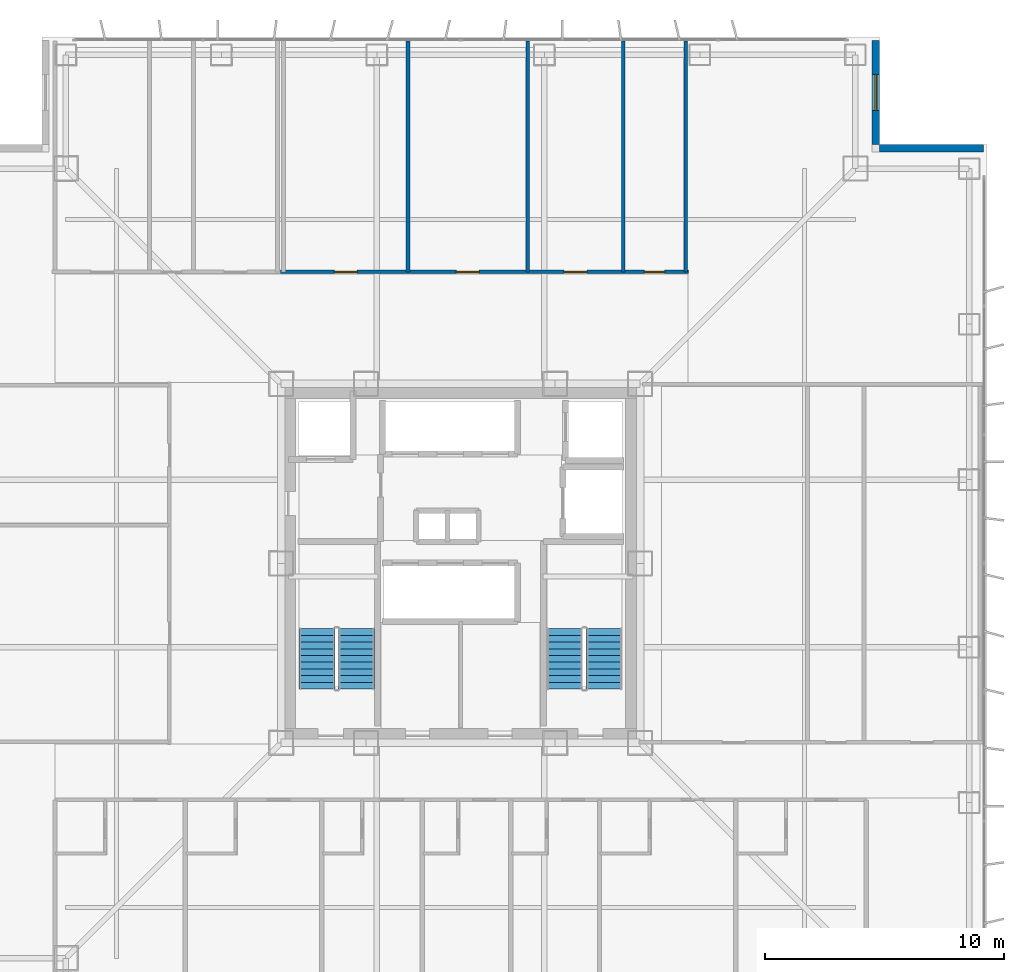
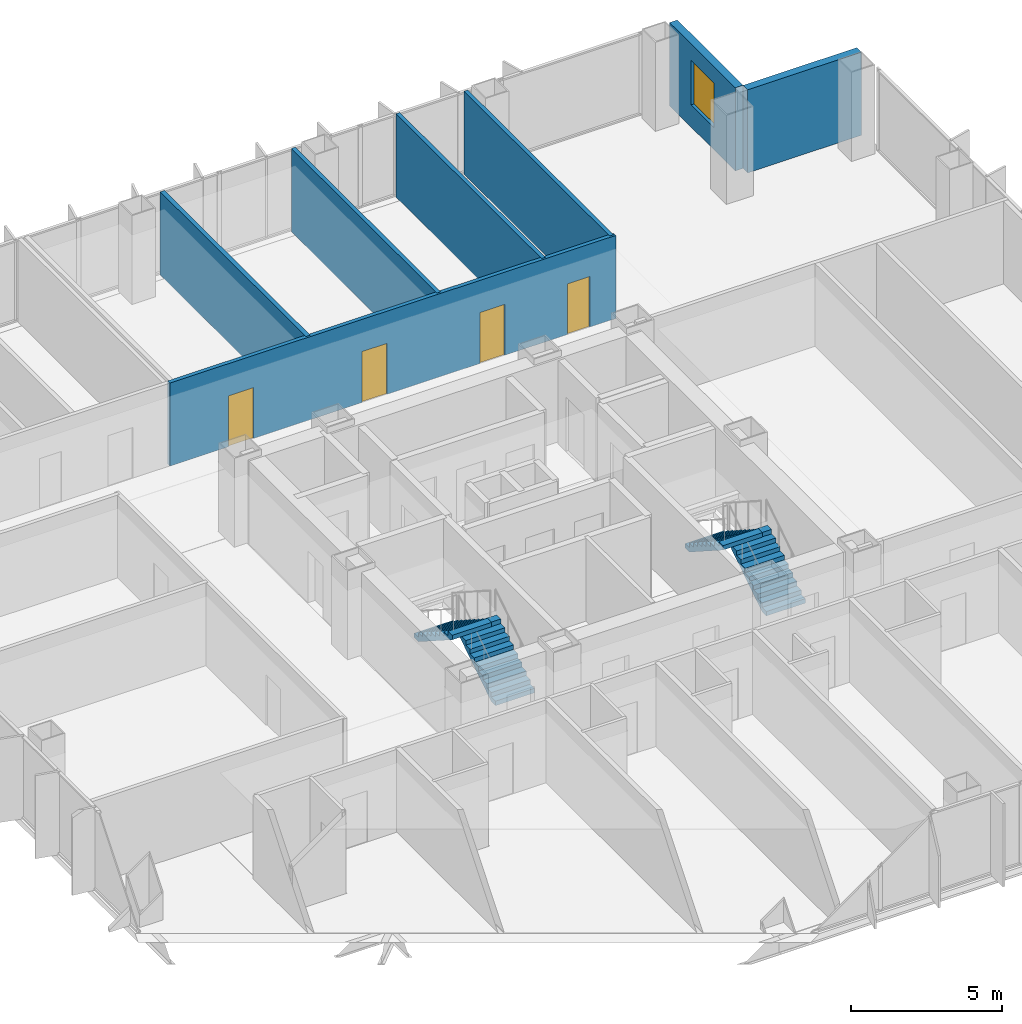
# One storey, part 15 of 18: 7 walls, 4 doors, 4 stair flights, 1 window, 5 openings, 2 elements without a shape of their own.
"""IFC4 building model written with IfcOpenShell, lengths in metres."""

from ifc_helpers import new_model, si_unit, direction, frame, frame_2d, origin, place, context, subcontext, project, spatial, polyline, rectangle, outline, extrude, material, layer, layer_set, type_object, element, fill, aggregate, save


model = new_model("IFC4")

# Units and contexts
model_context = context("Model", 3, precision=1e-05, world=origin(), true_north=direction((0.0, 1.0)))
body_context = subcontext(model_context, "Body", "Model", "MODEL_VIEW")
ifc_project = project(units=[si_unit("LENGTHUNIT", "METRE"), si_unit("AREAUNIT", "SQUARE_METRE"), si_unit("VOLUMEUNIT", "CUBIC_METRE"), si_unit("PLANEANGLEUNIT", "RADIAN"), si_unit("MASSUNIT", "GRAM", prefix="KILO")], contexts=[model_context])

# Site, building, storey
site_placement = place(None, origin())
site = spatial("IfcSite", under=ifc_project, at=site_placement, CompositionType="ELEMENT")
building_placement = place(site_placement, origin())
building = spatial("IfcBuilding", under=site, at=building_placement, Name="Trevonay Congress Spire", CompositionType="ELEMENT")
storey_placement = place(building_placement, frame((0.0, 0.0, 148.0)))
storey = spatial("IfcBuildingStorey", under=building, at=storey_placement, Name="L38", CompositionType="ELEMENT", Elevation=148.0)

# Wall, openings, doors
ifc_material_1 = material(Name="Concrete C40/50", Category="concrete")
ifc_layer_1 = layer(ifc_material_1, 0.14990234375, Name="Concrete C40/50")
ifc_layer_set_1 = layer_set([ifc_layer_1], Name="Concrete C40/50")
wall_type_1 = type_object("IfcWallType", Name="WAL-CORR-150", PredefinedType="PARTITIONING", material=ifc_layer_set_1)
wall_1_placement = place(storey_placement, frame((-7.52001953125, 12.179931640625, 0.0), z_axis=(0.0, 0.0, 1.0), x_axis=(1.0, 0.0, 0.0)))
wall_1 = element("IfcWall", 1, at=wall_1_placement, inside=storey, type_object=wall_type_1, Name="L38 interior wall WP-L38NE-COR", PredefinedType="PARTITIONING", context=body_context, shape_type="SweptSolid", body=[
    extrude(rectangle(XDim=17.0400390625, YDim=0.14990234375, at=frame_2d((8.52001953125, 0.0))), origin(), (0.0, 0.0, 1.0), 3.360107421875),
])
opening_1_placement = place(wall_1_placement, frame((2.2451171875, 0.0, 0.0)))
opening_1 = element("IfcOpeningElement", 2, at=opening_1_placement, cuts=wall_1, Name="Opening D07", PredefinedType="OPENING", context=body_context, shape_type="SweptSolid", body=[
    extrude(rectangle(XDim=0.949951171875, YDim=2.06005859375, at=frame_2d((0.47509765625, 1.030029296875))), frame((0.0, 0.0849609375, 0.0), z_axis=(0.0, -1.0, 0.0), x_axis=(1.0, 0.0, 0.0)), (0.0, 0.0, 1.0), 0.169921875),
])
opening_2_placement = place(wall_1_placement, frame((7.344970703125, 0.0, 0.0)))
opening_2 = element("IfcOpeningElement", 3, at=opening_2_placement, cuts=wall_1, Name="Opening D07", PredefinedType="OPENING", context=body_context, shape_type="SweptSolid", body=[
    extrude(rectangle(XDim=0.949951171875, YDim=2.06005859375, at=frame_2d((0.47509765625, 1.030029296875))), frame((0.0, 0.0849609375, 0.0), z_axis=(0.0, -1.0, 0.0), x_axis=(1.0, 0.0, 0.0)), (0.0, 0.0, 1.0), 0.169921875),
])
opening_3_placement = place(wall_1_placement, frame((11.844970703125, 0.0, 0.0)))
opening_3 = element("IfcOpeningElement", 4, at=opening_3_placement, cuts=wall_1, Name="Opening D07", PredefinedType="OPENING", context=body_context, shape_type="SweptSolid", body=[
    extrude(rectangle(XDim=0.949951171875, YDim=2.06005859375, at=frame_2d((0.47509765625, 1.030029296875))), frame((0.0, 0.0849609375, 0.0), z_axis=(0.0, -1.0, 0.0), x_axis=(1.0, 0.0, 0.0)), (0.0, 0.0, 1.0), 0.169921875),
])
opening_4_placement = place(wall_1_placement, frame((15.195068359375, 0.0, 0.0)))
opening_4 = element("IfcOpeningElement", 5, at=opening_4_placement, cuts=wall_1, Name="Opening D10", PredefinedType="OPENING", context=body_context, shape_type="SweptSolid", body=[
    extrude(rectangle(XDim=0.85009765625, YDim=2.050048828125, at=frame_2d((0.425048828125, 1.02490234375))), frame((0.0, 0.0849609375, 0.0), z_axis=(0.0, -1.0, 0.0), x_axis=(1.0, 0.0, 0.0)), (0.0, 0.0, 1.0), 0.169921875),
])
ifc_material_2 = material(Name="Pale Anodised Aluminium EN AW-6063-T6", Category="aluminium")
door_type_1 = type_object("IfcDoorType", Name="DOR-OFFICE-95", OperationType="NOTDEFINED", PredefinedType="DOOR", material=ifc_material_2)
door_1_placement = place(opening_1_placement, origin())
door_1 = element("IfcDoor", 6, at=door_1_placement, inside=storey, type_object=door_type_1, Name="L38 Protocol Advisors Office 1 Door", OperationType="SINGLE_SWING_RIGHT", OverallHeight=2.06005859375, OverallWidth=0.949951171875, PredefinedType="DOOR", context=body_context, shape_type="SweptSolid", body=[
    extrude(rectangle(XDim=0.949951171875, YDim=2.06005859375, at=frame_2d((0.47509765625, 1.030029296875))), frame((0.0, 0.02490234375, 0.0), z_axis=(0.0, -1.0, 0.0), x_axis=(1.0, 0.0, 0.0)), (0.0, 0.0, 1.0), 0.050048828125),
])
fill(opening_1, door_1)
door_2_placement = place(opening_2_placement, origin())
door_2 = element("IfcDoor", 7, at=door_2_placement, inside=storey, type_object=door_type_1, Name="L38 Protocol Advisors Office 2 Door", OperationType="SINGLE_SWING_LEFT", OverallHeight=2.06005859375, OverallWidth=0.949951171875, PredefinedType="DOOR", context=body_context, shape_type="SweptSolid", body=[
    extrude(rectangle(XDim=0.949951171875, YDim=2.06005859375, at=frame_2d((0.47509765625, 1.030029296875))), frame((0.0, 0.02490234375, 0.0), z_axis=(0.0, -1.0, 0.0), x_axis=(1.0, 0.0, 0.0)), (0.0, 0.0, 1.0), 0.050048828125),
])
fill(opening_2, door_2)
door_3_placement = place(opening_3_placement, origin())
door_3 = element("IfcDoor", 8, at=door_3_placement, inside=storey, type_object=door_type_1, Name="L38 Housekeeping and Linen Room Door", OperationType="SINGLE_SWING_RIGHT", OverallHeight=2.06005859375, OverallWidth=0.949951171875, PredefinedType="DOOR", context=body_context, shape_type="SweptSolid", body=[
    extrude(rectangle(XDim=0.949951171875, YDim=2.06005859375, at=frame_2d((0.47509765625, 1.030029296875))), frame((0.0, 0.02490234375, 0.0), z_axis=(0.0, -1.0, 0.0), x_axis=(1.0, 0.0, 0.0)), (0.0, 0.0, 1.0), 0.050048828125),
])
fill(opening_3, door_3)
door_type_2 = type_object("IfcDoorType", Name="DOR-WC-85", OperationType="NOTDEFINED", PredefinedType="DOOR", material=ifc_material_2)
door_4_placement = place(opening_4_placement, origin())
door_4 = element("IfcDoor", 9, at=door_4_placement, inside=storey, type_object=door_type_2, Name="L38 Female Restroom WC Door", OperationType="SINGLE_SWING_LEFT", OverallHeight=2.050048828125, OverallWidth=0.85009765625, PredefinedType="DOOR", context=body_context, shape_type="SweptSolid", body=[
    extrude(rectangle(XDim=0.85009765625, YDim=2.050048828125, at=frame_2d((0.425048828125, 1.02490234375))), frame((0.0, 0.02490234375, 0.0), z_axis=(0.0, -1.0, 0.0), x_axis=(1.0, 0.0, 0.0)), (0.0, 0.0, 1.0), 0.050048828125),
])
fill(opening_4, door_4)

# Wall, opening, window
ifc_material_3 = material(Name="Precast concrete C40/50", Category="concrete")
ifc_layer_2 = layer(ifc_material_3, 0.300048828125, Name="Precast concrete C40/50")
ifc_layer_set_2 = layer_set([ifc_layer_2], Name="Precast concrete C40/50")
wall_type_2 = type_object("IfcWallType", Name="WAL-EXT-PRECAST-300", PredefinedType="SOLIDWALL", material=ifc_layer_set_2)
wall_2_placement = place(storey_placement, frame((17.35009765625, 21.85009765625, 0.0), z_axis=(0.0, 0.0, 1.0), x_axis=(0.0, -1.0, 0.0)))
wall_2 = element("IfcWall", 10, at=wall_2_placement, inside=storey, type_object=wall_type_2, Name="L38 NE re-entrant notch exterior wall 1", PredefinedType="SOLIDWALL", context=body_context, shape_type="SweptSolid", body=[
    extrude(rectangle(XDim=4.35009765625, YDim=0.300048828125, at=frame_2d((2.175048828125, 0.0))), origin(), (0.0, 0.0, 1.0), 3.360107421875),
])
opening_5_placement = place(wall_2_placement, frame((1.425048828125, 0.0, 0.89990234375)))
opening_5 = element("IfcOpeningElement", 11, at=opening_5_placement, cuts=wall_2, Name="Opening WN03", PredefinedType="OPENING", context=body_context, shape_type="SweptSolid", body=[
    extrude(rectangle(XDim=1.5, YDim=1.800048828125, at=frame_2d((0.75, 0.89990234375))), frame((0.0, 0.16015625, 0.0), z_axis=(0.0, -1.0, 0.0), x_axis=(1.0, 0.0, 0.0)), (0.0, 0.0, 1.0), 0.320068359375),
])
ifc_material_4 = material(Name="Insulated Low-E Vision Glass IGU", Category="glass")
window_type = type_object("IfcWindowType", Name="WIN-NOTCH-150X180", PartitioningType="SINGLE_PANEL", PredefinedType="WINDOW", material=ifc_material_4)
window_placement = place(opening_5_placement, origin())
window = element("IfcWindow", 12, at=window_placement, inside=storey, type_object=window_type, Name="L38 NE corner notch window", OverallHeight=1.800048828125, OverallWidth=1.5, PartitioningType="SINGLE_PANEL", PredefinedType="WINDOW", context=body_context, shape_type="SweptSolid", body=[
    extrude(rectangle(XDim=1.5, YDim=1.800048828125, at=frame_2d((0.75, 0.89990234375))), frame((0.0, 0.030029296875, 0.0), z_axis=(0.0, -1.0, 0.0), x_axis=(1.0, 0.0, 0.0)), (0.0, 0.0, 1.0), 0.06005859375),
])
fill(opening_5, window)

# Walls
wall_3_placement = place(storey_placement, frame((21.85009765625, 17.35009765625, 0.0), z_axis=(0.0, 0.0, 1.0), x_axis=(-1.0, 0.0, 0.0)))
element("IfcWall", 13, at=wall_3_placement, inside=storey, type_object=wall_type_2, Name="L38 NE re-entrant notch exterior wall 2", PredefinedType="SOLIDWALL", context=body_context, shape_type="SweptSolid", body=[
    extrude(rectangle(XDim=4.35009765625, YDim=0.300048828125, at=frame_2d((2.175048828125, 0.0))), origin(), (0.0, 0.0, 1.0), 3.360107421875),
])
ifc_layer_3 = layer(ifc_material_1, 0.14990234375, Name="Concrete C40/50")
ifc_layer_set_3 = layer_set([ifc_layer_3], Name="Concrete C40/50")
wall_type_3 = type_object("IfcWallType", Name="WAL-PART-150", PredefinedType="PARTITIONING", material=ifc_layer_set_3)
for number, where, z_axis, x_axis, name in (
    (14, (2.800048828125, 12.179931640625, 0.0), (0.0, 0.0, 1.0), (0.0, 1.0, 0.0), "L38 interior wall WP-L38NE-DIV3"),
    (15, (6.800048828125, 12.179931640625, 0.0), (0.0, 0.0, 1.0), (0.0, 1.0, 0.0), "L38 interior wall WP-L38NE-DIV4"),
    (16, (9.39990234375, 12.179931640625, 0.0), (0.0, 0.0, 1.0), (0.0, 1.0, 0.0), "L38 interior wall WP-L38NE-DIV5"),
):
    element("IfcWall", number, at=place(storey_placement, frame(where, z_axis=z_axis, x_axis=x_axis)), inside=storey, type_object=wall_type_3, Name=name, PredefinedType="PARTITIONING", context=body_context, shape_type="SweptSolid", body=[
        extrude(rectangle(XDim=9.64013671875, YDim=0.14990234375, at=frame_2d((4.820068359375, 0.0))), origin(), (0.0, 0.0, 1.0), 3.360107421875),
    ])
ifc_layer_4 = layer(ifc_material_1, 0.1650390625, Name="Concrete C40/50")
ifc_layer_set_4 = layer_set([ifc_layer_4], Name="Concrete C40/50")
wall_type_4 = type_object("IfcWallType", Name="WAL-WET-165", PredefinedType="PLUMBINGWALL", material=ifc_layer_set_4)
wall_4_placement = place(storey_placement, frame((-2.199951171875, 12.179931640625, 0.0), z_axis=(0.0, 0.0, 1.0), x_axis=(0.0, 1.0, 0.0)))
element("IfcWall", 17, at=wall_4_placement, inside=storey, type_object=wall_type_4, Name="L38 interior wall WP-L38NE-DIV2", PredefinedType="PLUMBINGWALL", context=body_context, shape_type="SweptSolid", body=[
    extrude(rectangle(XDim=9.64013671875, YDim=0.1650390625, at=frame_2d((4.820068359375, 0.0))), origin(), (0.0, 0.0, 1.0), 3.360107421875),
])

# Stair, stair flights
stair_type_1 = type_object("IfcStairType", Name="STR-ST-1", PredefinedType="HALF_TURN_STAIR", material=ifc_material_1)
stair_1_placement = place(storey_placement, origin())
stair_1 = element("IfcStair", 18, at=stair_1_placement, inside=storey, type_object=stair_type_1, Name="L38 Protected Exit Stair ST-1", PredefinedType="HALF_TURN_STAIR")
stair_flight_type_1 = type_object("IfcStairFlightType", Name="SFL-ST-1", PredefinedType="STRAIGHT", material=ifc_material_1)
stair_flight_1_placement = place(storey_placement, frame((-4.35009765625, -5.25, 0.0), z_axis=(0.0, 0.0, 1.0), x_axis=(0.0, 1.0, 0.0)))
stair_flight_1 = element("IfcStairFlight", 19, at=stair_flight_1_placement, type_object=stair_flight_type_1, Name="ST-1 flight 1", NumberOfRisers=10, NumberOfTreads=9, PredefinedType="STRAIGHT", RiserHeight=0.18, TreadLength=0.28, context=body_context, shape_type="SweptSolid", body=[
    extrude(outline(polyline([(0.0, 0.0), (0.0, 0.179931640625), (0.280029296875, 0.179931640625), (0.280029296875, 0.360107421875), (0.56005859375, 0.360107421875), (0.56005859375, 0.5400390625), (0.840087890625, 0.5400390625), (0.840087890625, 0.719970703125), (1.1201171875, 0.719970703125), (1.1201171875, 0.89990234375), (1.39990234375, 0.89990234375), (1.39990234375, 1.080078125), (1.679931640625, 1.080078125), (1.679931640625, 1.260009765625), (1.9599609375, 1.260009765625), (1.9599609375, 1.43994140625), (2.239990234375, 1.43994140625), (2.239990234375, 1.6201171875), (2.52001953125, 1.6201171875), (2.52001953125, 1.800048828125), (2.52001953125, 1.44189453125), (0.277099609375, 0.0), (0.0, 0.0)])), frame((0.0, 0.75, 0.0), z_axis=(0.0, -1.0, 0.0), x_axis=(1.0, 0.0, 0.0)), (0.0, 0.0, 1.0), 1.5),
])
stair_flight_2_placement = place(storey_placement, frame((-6.0, -2.72998046875, 1.800048828125), z_axis=(0.0, 0.0, 1.0), x_axis=(0.0, -1.0, 0.0)))
stair_flight_2 = element("IfcStairFlight", 20, at=stair_flight_2_placement, type_object=stair_flight_type_1, Name="ST-1 flight 2", NumberOfRisers=10, NumberOfTreads=9, PredefinedType="STRAIGHT", RiserHeight=0.18, TreadLength=0.28, context=body_context, shape_type="SweptSolid", body=[
    extrude(outline(polyline([(0.0, 0.0), (0.0, 0.179931640625), (0.280029296875, 0.179931640625), (0.280029296875, 0.360107421875), (0.56005859375, 0.360107421875), (0.56005859375, 0.5400390625), (0.840087890625, 0.5400390625), (0.840087890625, 0.719970703125), (1.1201171875, 0.719970703125), (1.1201171875, 0.89990234375), (1.39990234375, 0.89990234375), (1.39990234375, 1.080078125), (1.679931640625, 1.080078125), (1.679931640625, 1.260009765625), (1.9599609375, 1.260009765625), (1.9599609375, 1.43994140625), (2.239990234375, 1.43994140625), (2.239990234375, 1.6201171875), (2.52001953125, 1.6201171875), (2.52001953125, 1.800048828125), (2.52001953125, 1.44189453125), (0.277099609375, 0.0), (0.0, 0.0)])), frame((0.0, 0.75, 0.0), z_axis=(0.0, -1.0, 0.0), x_axis=(1.0, 0.0, 0.0)), (0.0, 0.0, 1.0), 1.5),
])
aggregate(stair_1, [stair_flight_1, stair_flight_2])

stair_type_2 = type_object("IfcStairType", Name="STR-ST-2", PredefinedType="HALF_TURN_STAIR", material=ifc_material_1)
stair_2_placement = place(storey_placement, origin())
stair_2 = element("IfcStair", 21, at=stair_2_placement, inside=storey, type_object=stair_type_2, Name="L38 Protected Exit Stair ST-2", PredefinedType="HALF_TURN_STAIR")
stair_flight_type_2 = type_object("IfcStairFlightType", Name="SFL-ST-2", PredefinedType="STRAIGHT", material=ifc_material_1)
stair_flight_3_placement = place(storey_placement, frame((6.0, -5.25, 0.0), z_axis=(0.0, 0.0, 1.0), x_axis=(0.0, 1.0, 0.0)))
stair_flight_3 = element("IfcStairFlight", 22, at=stair_flight_3_placement, type_object=stair_flight_type_2, Name="ST-2 flight 1", NumberOfRisers=10, NumberOfTreads=9, PredefinedType="STRAIGHT", RiserHeight=0.18, TreadLength=0.28, context=body_context, shape_type="SweptSolid", body=[
    extrude(outline(polyline([(0.0, 0.0), (0.0, 0.179931640625), (0.280029296875, 0.179931640625), (0.280029296875, 0.360107421875), (0.56005859375, 0.360107421875), (0.56005859375, 0.5400390625), (0.840087890625, 0.5400390625), (0.840087890625, 0.719970703125), (1.1201171875, 0.719970703125), (1.1201171875, 0.89990234375), (1.39990234375, 0.89990234375), (1.39990234375, 1.080078125), (1.679931640625, 1.080078125), (1.679931640625, 1.260009765625), (1.9599609375, 1.260009765625), (1.9599609375, 1.43994140625), (2.239990234375, 1.43994140625), (2.239990234375, 1.6201171875), (2.52001953125, 1.6201171875), (2.52001953125, 1.800048828125), (2.52001953125, 1.44189453125), (0.277099609375, 0.0), (0.0, 0.0)])), frame((0.0, 0.75, 0.0), z_axis=(0.0, -1.0, 0.0), x_axis=(1.0, 0.0, 0.0)), (0.0, 0.0, 1.0), 1.5),
])
stair_flight_4_placement = place(storey_placement, frame((4.35009765625, -2.72998046875, 1.800048828125), z_axis=(0.0, 0.0, 1.0), x_axis=(0.0, -1.0, 0.0)))
stair_flight_4 = element("IfcStairFlight", 23, at=stair_flight_4_placement, type_object=stair_flight_type_2, Name="ST-2 flight 2", NumberOfRisers=10, NumberOfTreads=9, PredefinedType="STRAIGHT", RiserHeight=0.18, TreadLength=0.28, context=body_context, shape_type="SweptSolid", body=[
    extrude(outline(polyline([(0.0, 0.0), (0.0, 0.179931640625), (0.280029296875, 0.179931640625), (0.280029296875, 0.360107421875), (0.56005859375, 0.360107421875), (0.56005859375, 0.5400390625), (0.840087890625, 0.5400390625), (0.840087890625, 0.719970703125), (1.1201171875, 0.719970703125), (1.1201171875, 0.89990234375), (1.39990234375, 0.89990234375), (1.39990234375, 1.080078125), (1.679931640625, 1.080078125), (1.679931640625, 1.260009765625), (1.9599609375, 1.260009765625), (1.9599609375, 1.43994140625), (2.239990234375, 1.43994140625), (2.239990234375, 1.6201171875), (2.52001953125, 1.6201171875), (2.52001953125, 1.800048828125), (2.52001953125, 1.44189453125), (0.277099609375, 0.0), (0.0, 0.0)])), frame((0.0, 0.75, 0.0), z_axis=(0.0, -1.0, 0.0), x_axis=(1.0, 0.0, 0.0)), (0.0, 0.0, 1.0), 1.5),
])
aggregate(stair_2, [stair_flight_3, stair_flight_4])

save(model, "model.ifc")
